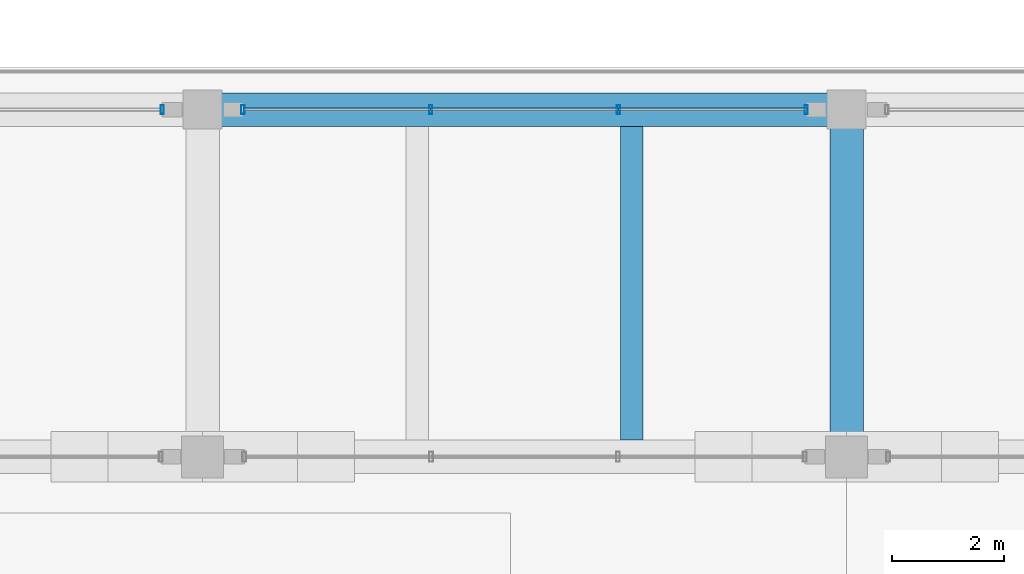
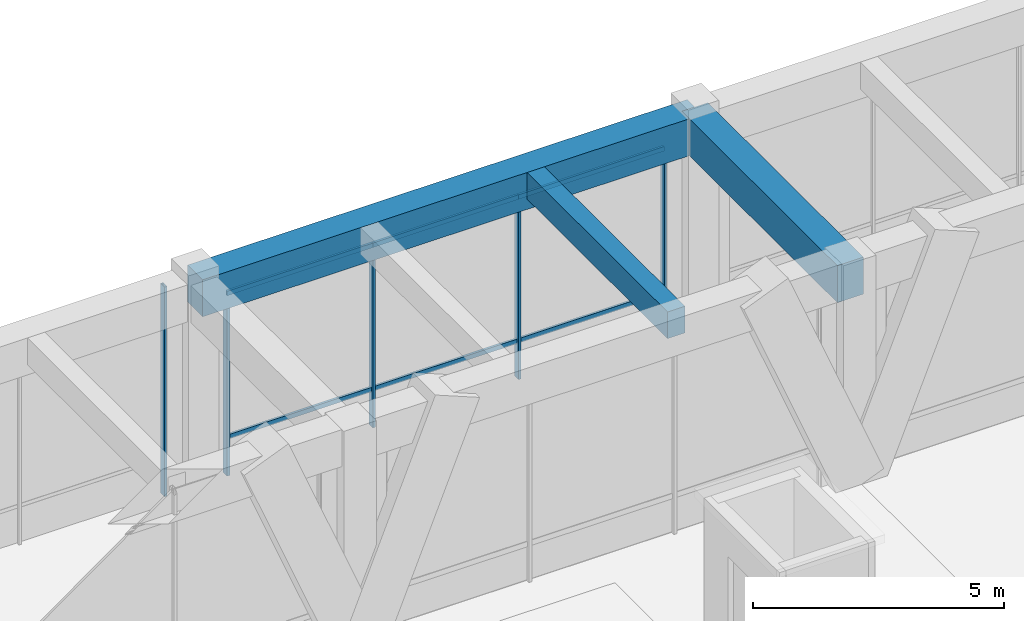
# One storey, part 65 of 148: 11 members, 3 beams, 2 elements without a shape of their own.
"""IFC4 building model written with IfcOpenShell, lengths in metres."""

import ifcopenshell
import ifcopenshell.guid

model = None  # the IFC model being written
_history = None  # IfcOwnerHistory: only IFC2X3 demands one
_inside = {}  # id of a spatial element -> (the spatial element, [elements in it])
_under = {}  # id of a project, library or spatial element -> (it, [spatial elements below it])
_declared = {}  # id of a project -> (the project, [libraries it declares])
_typed = {}  # id of a type object -> (the type object, [elements of that type])
_made_of = {}  # id of a material, layer set ... -> (it, [elements and type objects made of it])


def new_model(schema):
    """Start an empty IFC model of exactly this schema.

    Asked for "IFC4X3", IfcOpenShell would pick the latest addendum, in which some entities
    have other attributes; the version numbers below select the first issue.
    IFC2X3 requires an IfcOwnerHistory on every rooted entity: one is made here for all.
    """
    global model, _history
    if schema == "IFC4X3":
        model = ifcopenshell.file(schema_version=(4, 3, 0, 0))
    else:
        model = ifcopenshell.file(schema=schema)
    _inside.clear()
    _under.clear()
    _declared.clear()
    _typed.clear()
    _made_of.clear()
    _history = None
    if model.schema == "IFC2X3":
        org = make("IfcOrganization", Name="unknown")
        user = make(
            "IfcPersonAndOrganization",
            ThePerson=make("IfcPerson", FamilyName="unknown"),
            TheOrganization=org,
        )
        app = make(
            "IfcApplication",
            ApplicationDeveloper=org,
            Version="unknown",
            ApplicationFullName="unknown",
            ApplicationIdentifier="unknown",
        )
        _history = make(
            "IfcOwnerHistory",
            OwningUser=user,
            OwningApplication=app,
            ChangeAction="ADDED",
            CreationDate=0,
        )
    return model


def make(cls, **values):
    """One entity of the class cls with the attributes given. An attribute that is None is left unset."""
    return model.create_entity(
        cls, **{name: value for name, value in values.items() if value is not None}
    )


def rooted(cls, **values):
    """An entity with a GlobalId (a new one), such as an element, a storey or a relation."""
    return make(cls, GlobalId=ifcopenshell.guid.new(), OwnerHistory=_history, **values)


def si_unit(unit_type, name, prefix=None):
    """IfcSIUnit, for example si_unit("LENGTHUNIT", "METRE", prefix="MILLI")."""
    return make("IfcSIUnit", UnitType=unit_type, Prefix=prefix, Name=name)


def assignment(units):
    """IfcUnitAssignment: the units of a project."""
    return None if units is None else make("IfcUnitAssignment", Units=units)


def point(xyz):
    """IfcCartesianPoint."""
    return None if xyz is None else make("IfcCartesianPoint", Coordinates=xyz)


def direction(xyz):
    """IfcDirection."""
    return None if xyz is None else make("IfcDirection", DirectionRatios=xyz)


def frame(location, z_axis=None, x_axis=None):
    """IfcAxis2Placement3D, a coordinate frame: its origin and axes. An axis left out is left unset."""
    return make(
        "IfcAxis2Placement3D",
        Location=point(location),
        Axis=direction(z_axis),
        RefDirection=direction(x_axis),
    )


def frame_2d(location, x_axis=None):
    """IfcAxis2Placement2D, a coordinate frame in the plane: its origin and x axis."""
    return make(
        "IfcAxis2Placement2D", Location=point(location), RefDirection=direction(x_axis)
    )


def origin():
    """The frame at (0, 0, 0) with its axes left unset."""
    return frame((0.0, 0.0, 0.0))


def origin_2d():
    """The frame at (0, 0) in the plane with its x axis left unset."""
    return frame_2d((0.0, 0.0))


def place(relative_to, where):
    """IfcLocalPlacement: puts the frame where relative to a parent placement (None: the world)."""
    return make(
        "IfcLocalPlacement", PlacementRelTo=relative_to, RelativePlacement=where
    )


def context(
    kind, dimensions, precision=None, world=None, true_north=None, identifier=None
):
    """IfcGeometricRepresentationContext, for example the 3D "Model" context."""
    return make(
        "IfcGeometricRepresentationContext",
        ContextIdentifier=identifier,
        ContextType=kind,
        CoordinateSpaceDimension=dimensions,
        Precision=precision,
        WorldCoordinateSystem=world,
        TrueNorth=true_north,
    )


def subcontext(parent, identifier, kind, view, scale=None):
    """IfcGeometricRepresentationSubContext, for example "Body" below "Model"."""
    return make(
        "IfcGeometricRepresentationSubContext",
        ContextIdentifier=identifier,
        ContextType=kind,
        ParentContext=parent,
        TargetScale=scale,
        TargetView=view,
    )


def project(units=None, contexts=None):
    """IfcProject with its units and contexts."""
    return rooted(
        "IfcProject",
        Name="project",
        RepresentationContexts=contexts,
        UnitsInContext=assignment(units),
    )


def spatial(cls, under=None, at=None, **own):
    """A site, building, storey or space (cls), placed at a placement, below another one or the project."""
    s = rooted(cls, ObjectPlacement=at, **own)
    if under is not None:
        _under.setdefault(under.id(), (under, []))[1].append(s)
    return s


def profile(cls, at=None, kind="AREA", **sizes):
    """A parametric profile (cls). Its sizes go by their IFC names, for example OverallWidth=200.0."""
    return make(cls, ProfileType=kind, Position=at, **sizes)


def rectangle(**sizes):
    """IfcRectangleProfileDef."""
    return profile("IfcRectangleProfileDef", **sizes)


def hollow_rectangle(**sizes):
    """IfcRectangleHollowProfileDef."""
    return profile("IfcRectangleHollowProfileDef", **sizes)


def extrude(swept, where, along, depth):
    """IfcExtrudedAreaSolid: the profile swept, set in the frame where, extruded along a direction by depth."""
    return make(
        "IfcExtrudedAreaSolid",
        SweptArea=swept,
        Position=where,
        ExtrudedDirection=direction(along),
        Depth=depth,
    )


def shape(context_of_items, identifier, shape_type, items):
    """IfcShapeRepresentation: the items that make up one representation, for example the "Body"."""
    return make(
        "IfcShapeRepresentation",
        ContextOfItems=context_of_items,
        RepresentationIdentifier=identifier,
        RepresentationType=shape_type,
        Items=items,
    )


def material(Name=None, Category=None):
    """IfcMaterial."""
    return make("IfcMaterial", Name=Name, Category=Category)


def material_profile(
    of_material, cross_section, Name=None, Category=None, Priority=None
):
    """IfcMaterialProfile: a cross section and its material."""
    return make(
        "IfcMaterialProfile",
        Name=Name,
        Material=of_material,
        Profile=cross_section,
        Priority=Priority,
        Category=Category,
    )


def profile_set(profiles, Name=None, composite=None):
    """IfcMaterialProfileSet."""
    return make(
        "IfcMaterialProfileSet",
        Name=Name,
        MaterialProfiles=profiles,
        CompositeProfile=composite,
    )


def made_of(thing, what):
    """Note that an element or type object is made of a material, layer set ...; save() writes the relation."""
    if what is not None:
        _made_of.setdefault(what.id(), (what, []))[1].append(thing)
    return thing


def type_object(cls, material=None, **own):
    """A type object (cls), such as IfcWallType, which elements share."""
    return made_of(rooted(cls, **own), material)


def element(
    cls,
    number,
    at=None,
    inside=None,
    cuts=None,
    type_object=None,
    material=None,
    context=None,
    identifier="Body",
    shape_type=None,
    held_by="IfcProductDefinitionShape",
    body=None,
    shapes=None,
    **own,
):
    """One element of the class cls, such as IfcWall. Its Tag is "e" and its number.

    at: its placement. inside: the storey or other place that contains it. cuts: it is an
    opening in that element (IfcRelVoidsElement). A single representation is given by context,
    identifier, shape_type and body (its items); several are given by shapes. held_by: the class
    of the entity that holds the representations. save() writes the other relations.
    """
    e = rooted(cls, Tag="e%d" % number, ObjectPlacement=at, **own)
    if body is not None:
        shapes = [shape(context, identifier, shape_type, body)]
    if shapes is not None:
        e.Representation = make(held_by, Representations=shapes)
    if inside is not None:
        _inside.setdefault(inside.id(), (inside, []))[1].append(e)
    if cuts is not None:
        rooted(
            "IfcRelVoidsElement", RelatingBuildingElement=cuts, RelatedOpeningElement=e
        )
    if type_object is not None:
        _typed.setdefault(type_object.id(), (type_object, []))[1].append(e)
    return made_of(e, material)


def aggregate(whole, parts):
    """IfcRelAggregates: a whole, such as a stair, and the parts it consists of."""
    return rooted("IfcRelAggregates", RelatingObject=whole, RelatedObjects=parts)


def save(model, path):
    """Write the relations noted so far, then the file.

    IfcRelAggregates (storeys below a building ...), IfcRelContainedInSpatialStructure (elements
    in a storey), IfcRelDefinesByType, IfcRelAssociatesMaterial and IfcRelDeclares: one each for
    every whole, place, type object, material and project.
    """
    for whole, parts in _under.values():
        aggregate(whole, parts)
    for where, things in _inside.values():
        rooted(
            "IfcRelContainedInSpatialStructure",
            RelatedElements=things,
            RelatingStructure=where,
        )
    for kind, things in _typed.values():
        rooted("IfcRelDefinesByType", RelatedObjects=things, RelatingType=kind)
    for what, things in _made_of.values():
        rooted("IfcRelAssociatesMaterial", RelatedObjects=things, RelatingMaterial=what)
    for by, libraries in _declared.values():
        rooted("IfcRelDeclares", RelatingContext=by, RelatedDefinitions=libraries)
    model.write(path)


model = new_model("IFC4")

# Units and contexts
model_context = context("Model", 3, precision=1e-05, world=origin(), true_north=direction((0.0, 1.0)))
body_context = subcontext(model_context, "Body", "Model", "MODEL_VIEW")
ifc_project = project(units=[si_unit("LENGTHUNIT", "METRE"), si_unit("AREAUNIT", "SQUARE_METRE"), si_unit("VOLUMEUNIT", "CUBIC_METRE"), si_unit("PLANEANGLEUNIT", "RADIAN"), si_unit("MASSUNIT", "GRAM", prefix="KILO")], contexts=[model_context])

# Site, building, storey
site_placement = place(None, origin())
site = spatial("IfcSite", under=ifc_project, at=site_placement, CompositionType="ELEMENT")
building_placement = place(site_placement, origin())
building = spatial("IfcBuilding", under=site, at=building_placement, Name="Ologun Quay Terminus", CompositionType="ELEMENT")
storey_placement = place(building_placement, frame((0.0, 0.0, 8.39990234375)))
storey = spatial("IfcBuildingStorey", under=building, at=storey_placement, Name="L02", CompositionType="ELEMENT", Elevation=8.39990234375)

# Curtain wall, member
ifc_material_1 = material(Name="Aluminium 6063-T6", Category="aluminium")
curtain_wall_type = type_object("IfcCurtainWallType", Name="Courtyard Overlook Concourse Curtain Wall 10700x4750", PredefinedType="USERDEFINED", material=ifc_material_1)
curtain_wall_1_placement = place(storey_placement, origin())
curtain_wall_1 = element("IfcCurtainWall", 1, at=curtain_wall_1_placement, inside=storey, type_object=curtain_wall_type, Name="CW-12 Curtain Wall CW-L02-080", ObjectType="UNITISED CURTAIN WALL", PredefinedType="USERDEFINED")
ifc_material_2 = material(Name="Aluminium 6063-T6", Category="aluminium")
ifc_material_profile_1 = material_profile(ifc_material_2, hollow_rectangle(XDim=0.06005859375, YDim=0.159912109375, WallThickness=0.00390625, at=origin_2d()), Name="ALU 160x60x4")
ifc_profile_set_1 = profile_set([ifc_material_profile_1], Name="Aluminium 6063-T6")
member_type_1 = type_object("IfcMemberType", Name="Courtyard Screen Mullion 160x65", PredefinedType="MULLION", material=ifc_profile_set_1)
member_1_placement = place(storey_placement, frame((79.780029296875, 84.199951171875, 0.0), z_axis=(0.0, 0.0, 1.0), x_axis=(1.0, 0.0, 0.0)))
member_1 = element("IfcMember", 2, at=member_1_placement, type_object=member_type_1, Name="CW-L02-080 Mullion 4", PredefinedType="MULLION", context=body_context, shape_type="SweptSolid", body=[
    extrude(hollow_rectangle(XDim=0.06005859375, YDim=0.159912109375, WallThickness=0.00390625, at=origin_2d()), origin(), (0.0, 0.0, 1.0), 5.10009765625),
])
aggregate(curtain_wall_1, [member_1])

# Curtain wall, members
curtain_wall_2_placement = place(storey_placement, origin())
curtain_wall_2 = element("IfcCurtainWall", 3, at=curtain_wall_2_placement, inside=storey, type_object=curtain_wall_type, Name="CW-12 Curtain Wall CW-L02-081", ObjectType="UNITISED CURTAIN WALL", PredefinedType="USERDEFINED")
member_2_placement = place(storey_placement, frame((81.219970703125, 84.199951171875, 0.0), z_axis=(0.0, 0.0, 1.0), x_axis=(1.0, 0.0, 0.0)))
member_2 = element("IfcMember", 4, at=member_2_placement, type_object=member_type_1, Name="CW-L02-081 Mullion 1", PredefinedType="MULLION", context=body_context, shape_type="SweptSolid", body=[
    extrude(hollow_rectangle(XDim=0.06005859375, YDim=0.159912109375, WallThickness=0.00390625, at=origin_2d()), origin(), (0.0, 0.0, 1.0), 5.10009765625),
])
member_3_placement = place(storey_placement, frame((84.5732421875, 84.199951171875, 0.0), z_axis=(0.0, 0.0, 1.0), x_axis=(1.0, 0.0, 0.0)))
member_3 = element("IfcMember", 5, at=member_3_placement, type_object=member_type_1, Name="CW-L02-081 Mullion 2", PredefinedType="MULLION", context=body_context, shape_type="SweptSolid", body=[
    extrude(hollow_rectangle(XDim=0.06005859375, YDim=0.159912109375, WallThickness=0.00390625, at=origin_2d()), origin(), (0.0, 0.0, 1.0), 5.10009765625),
])
member_4_placement = place(storey_placement, frame((87.9267578125, 84.199951171875, 0.0), z_axis=(0.0, 0.0, 1.0), x_axis=(1.0, 0.0, 0.0)))
member_4 = element("IfcMember", 6, at=member_4_placement, type_object=member_type_1, Name="CW-L02-081 Mullion 3", PredefinedType="MULLION", context=body_context, shape_type="SweptSolid", body=[
    extrude(hollow_rectangle(XDim=0.06005859375, YDim=0.159912109375, WallThickness=0.00390625, at=origin_2d()), origin(), (0.0, 0.0, 1.0), 5.10009765625),
])
member_5_placement = place(storey_placement, frame((91.280029296875, 84.199951171875, 0.0), z_axis=(0.0, 0.0, 1.0), x_axis=(1.0, 0.0, 0.0)))
member_5 = element("IfcMember", 7, at=member_5_placement, type_object=member_type_1, Name="CW-L02-081 Mullion 4", PredefinedType="MULLION", context=body_context, shape_type="SweptSolid", body=[
    extrude(hollow_rectangle(XDim=0.06005859375, YDim=0.159912109375, WallThickness=0.00390625, at=origin_2d()), origin(), (0.0, 0.0, 1.0), 5.10009765625),
])
ifc_material_3 = material(Name="Aluminium 6063-T6", Category="aluminium")
ifc_material_profile_2 = material_profile(ifc_material_3, hollow_rectangle(XDim=0.054931640625, YDim=0.110107421875, WallThickness=0.00390625, at=origin_2d()), Name="ALU 110x55x4")
ifc_profile_set_2 = profile_set([ifc_material_profile_2], Name="Aluminium 6063-T6")
member_type_2 = type_object("IfcMemberType", Name="Courtyard Screen Transom 110x55", PredefinedType="USERDEFINED", material=ifc_profile_set_2)
member_6_placement = place(storey_placement, frame((81.219970703125, 84.199951171875, 0.900146484375), z_axis=(1.0, 0.0, 0.0), x_axis=(0.0, 1.0, 0.0)))
member_6 = element("IfcMember", 8, at=member_6_placement, type_object=member_type_2, Name="CW-L02-081 Transom B1-1", ObjectType="TRANSOM", PredefinedType="USERDEFINED", context=body_context, shape_type="SweptSolid", body=[
    extrude(hollow_rectangle(XDim=0.054931640625, YDim=0.110107421875, WallThickness=0.00390625, at=origin_2d()), origin(), (0.0, 0.0, 1.0), 3.353271484375),
])
member_7_placement = place(storey_placement, frame((81.219970703125, 84.199951171875, 4.400146484375), z_axis=(1.0, 0.0, 0.0), x_axis=(0.0, 1.0, 0.0)))
member_7 = element("IfcMember", 9, at=member_7_placement, type_object=member_type_2, Name="CW-L02-081 Transom B1-2", ObjectType="TRANSOM", PredefinedType="USERDEFINED", context=body_context, shape_type="SweptSolid", body=[
    extrude(hollow_rectangle(XDim=0.054931640625, YDim=0.110107421875, WallThickness=0.00390625, at=origin_2d()), origin(), (0.0, 0.0, 1.0), 3.353271484375),
])
member_8_placement = place(storey_placement, frame((84.5732421875, 84.199951171875, 0.900146484375), z_axis=(1.0, 0.0, 0.0), x_axis=(0.0, 1.0, 0.0)))
member_8 = element("IfcMember", 10, at=member_8_placement, type_object=member_type_2, Name="CW-L02-081 Transom B2-1", ObjectType="TRANSOM", PredefinedType="USERDEFINED", context=body_context, shape_type="SweptSolid", body=[
    extrude(hollow_rectangle(XDim=0.054931640625, YDim=0.110107421875, WallThickness=0.00390625, at=origin_2d()), origin(), (0.0, 0.0, 1.0), 3.353515625),
])
member_9_placement = place(storey_placement, frame((84.5732421875, 84.199951171875, 4.400146484375), z_axis=(1.0, 0.0, 0.0), x_axis=(0.0, 1.0, 0.0)))
member_9 = element("IfcMember", 11, at=member_9_placement, type_object=member_type_2, Name="CW-L02-081 Transom B2-2", ObjectType="TRANSOM", PredefinedType="USERDEFINED", context=body_context, shape_type="SweptSolid", body=[
    extrude(hollow_rectangle(XDim=0.054931640625, YDim=0.110107421875, WallThickness=0.00390625, at=origin_2d()), origin(), (0.0, 0.0, 1.0), 3.353515625),
])
member_10_placement = place(storey_placement, frame((87.9267578125, 84.199951171875, 0.900146484375), z_axis=(1.0, 0.0, 0.0), x_axis=(0.0, 1.0, 0.0)))
member_10 = element("IfcMember", 12, at=member_10_placement, type_object=member_type_2, Name="CW-L02-081 Transom B3-1", ObjectType="TRANSOM", PredefinedType="USERDEFINED", context=body_context, shape_type="SweptSolid", body=[
    extrude(hollow_rectangle(XDim=0.054931640625, YDim=0.110107421875, WallThickness=0.00390625, at=origin_2d()), origin(), (0.0, 0.0, 1.0), 3.353271484375),
])
member_11_placement = place(storey_placement, frame((87.9267578125, 84.199951171875, 4.400146484375), z_axis=(1.0, 0.0, 0.0), x_axis=(0.0, 1.0, 0.0)))
member_11 = element("IfcMember", 13, at=member_11_placement, type_object=member_type_2, Name="CW-L02-081 Transom B3-2", ObjectType="TRANSOM", PredefinedType="USERDEFINED", context=body_context, shape_type="SweptSolid", body=[
    extrude(hollow_rectangle(XDim=0.054931640625, YDim=0.110107421875, WallThickness=0.00390625, at=origin_2d()), origin(), (0.0, 0.0, 1.0), 3.353271484375),
])
aggregate(curtain_wall_2, [member_2, member_3, member_4, member_5, member_6, member_7, member_8, member_9, member_10, member_11])

# Beams
ifc_material_4 = material(Name="Concrete C40/50", Category="concrete")
ifc_material_profile_3 = material_profile(ifc_material_4, rectangle(XDim=0.60009765625, YDim=0.89990234375, at=origin_2d()), Name="RC 600x900")
ifc_profile_set_3 = profile_set([ifc_material_profile_3], Name="Concrete C40/50")
beam_type_1 = type_object("IfcBeamType", Name="Station Frame Girder 600x900", PredefinedType="BEAM", material=ifc_profile_set_3)
beam_1_placement = place(storey_placement, frame((80.5, 84.199951171875, 4.7001953125), z_axis=(1.0, 0.0, 0.0), x_axis=(0.0, 1.0, 0.0)))
element("IfcBeam", 14, at=beam_1_placement, inside=storey, type_object=beam_type_1, Name="B3 Beam 8/G1 L02", PredefinedType="BEAM", context=body_context, shape_type="SweptSolid", body=[
    extrude(rectangle(XDim=0.60009765625, YDim=0.89990234375, at=origin_2d()), origin(), (0.0, 0.0, 1.0), 11.5),
])
beam_2_placement = place(storey_placement, frame((92.0, 78.0, 4.7001953125), z_axis=(0.0, 1.0, 0.0), x_axis=(-1.0, 0.0, 0.0)))
element("IfcBeam", 15, at=beam_2_placement, inside=storey, type_object=beam_type_1, Name="B3 Beam 9/F L02", PredefinedType="BEAM", context=body_context, shape_type="SweptSolid", body=[
    extrude(rectangle(XDim=0.60009765625, YDim=0.89990234375, at=origin_2d()), origin(), (0.0, 0.0, 1.0), 6.199951171875),
])
ifc_material_5 = material(Name="Concrete C40/50", Category="concrete")
ifc_material_profile_4 = material_profile(ifc_material_5, rectangle(XDim=0.39990234375, YDim=0.64990234375, at=origin_2d()), Name="RC 400x650")
ifc_profile_set_4 = profile_set([ifc_material_profile_4], Name="Concrete C40/50")
beam_type_2 = type_object("IfcBeamType", Name="Station Secondary Joist 400x650", PredefinedType="JOIST", material=ifc_profile_set_4)
beam_3_placement = place(storey_placement, frame((88.166748046875, 78.300048828125, 4.8251953125), z_axis=(0.0, 1.0, 0.0), x_axis=(-1.0, 0.0, 0.0)))
element("IfcBeam", 16, at=beam_3_placement, inside=storey, type_object=beam_type_2, Name="J1 Beam 8/F L02", PredefinedType="JOIST", context=body_context, shape_type="SweptSolid", body=[
    extrude(rectangle(XDim=0.39990234375, YDim=0.64990234375, at=origin_2d()), origin(), (0.0, 0.0, 1.0), 5.599853515625),
])

save(model, "model.ifc")
